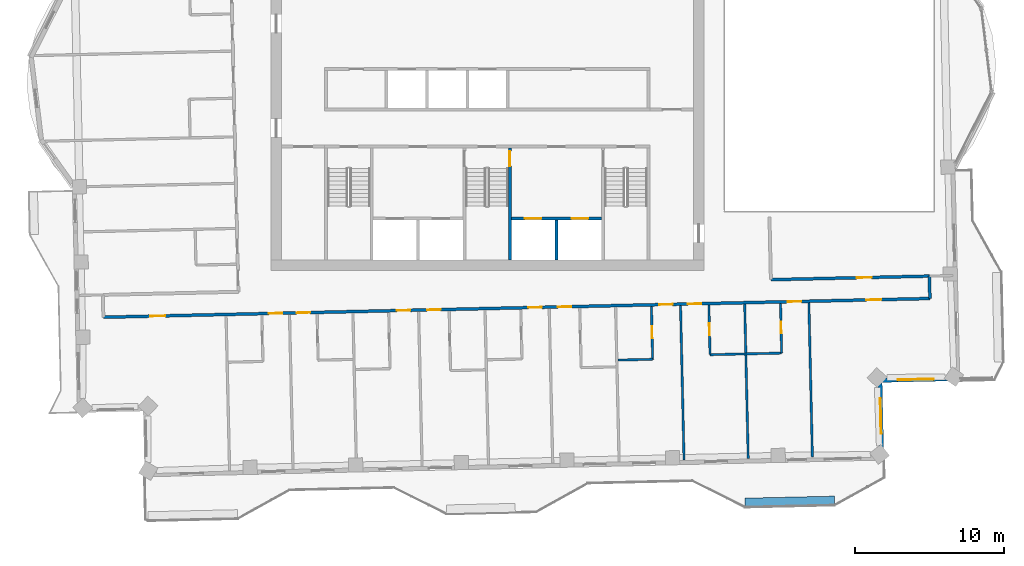
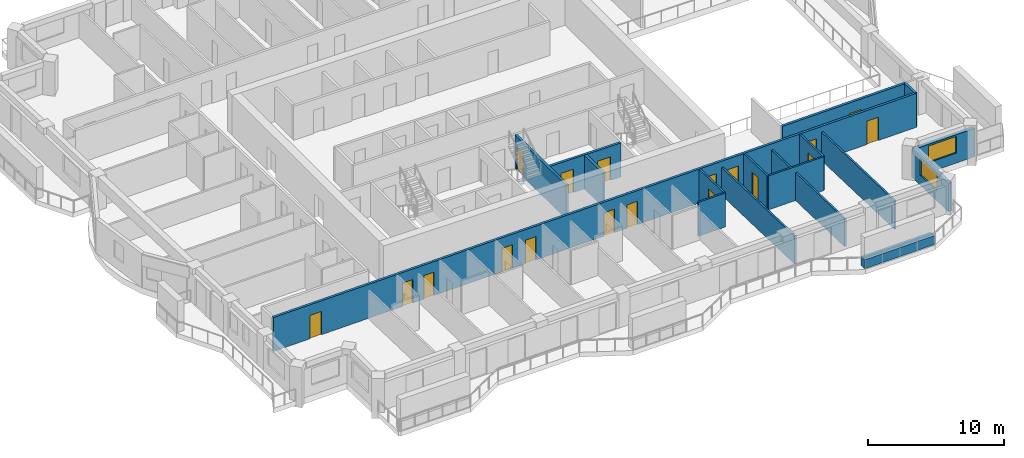
# One storey, part 11 of 19: 18 doors, 17 walls, 2 windows, 20 openings.
"""IFC4 building model written with IfcOpenShell, lengths in metres."""

from ifc_helpers import new_model, si_unit, direction, frame, frame_2d, origin, place, context, subcontext, project, spatial, rectangle, extrude, material, layer, layer_set, type_object, element, fill, save


model = new_model("IFC4")

# Units and contexts
model_context = context("Model", 3, precision=1e-05, world=origin(), true_north=direction((0.0, 1.0)))
body_context = subcontext(model_context, "Body", "Model", "MODEL_VIEW")
ifc_project = project(units=[si_unit("LENGTHUNIT", "METRE"), si_unit("AREAUNIT", "SQUARE_METRE"), si_unit("VOLUMEUNIT", "CUBIC_METRE"), si_unit("PLANEANGLEUNIT", "RADIAN"), si_unit("MASSUNIT", "GRAM", prefix="KILO")], contexts=[model_context])

# Site, building, storey
site_placement = place(None, origin())
site = spatial("IfcSite", under=ifc_project, at=site_placement, CompositionType="ELEMENT")
building_placement = place(site_placement, origin())
building = spatial("IfcBuilding", under=site, at=building_placement, Name="Mangrove Gate Tower", CompositionType="ELEMENT")
storey_placement = place(building_placement, frame((0.0, 0.0, 283.5)))
storey = spatial("IfcBuildingStorey", under=building, at=storey_placement, Name="L72", CompositionType="ELEMENT", Elevation=283.5)

# Wall, openings, doors
ifc_material_1 = material(Name="Concrete C50/60", Category="concrete")
ifc_layer_1 = layer(ifc_material_1, 0.199951171875)
ifc_layer_set_1 = layer_set([ifc_layer_1], Name="Core shaft wall 200 C50/60")
wall_type_1 = type_object("IfcWallType", Name="Core shaft wall 200 C50/60", PredefinedType="SHEAR", material=ifc_layer_set_1)
wall_1_placement = place(storey_placement, frame((1.60009765625, -8.0, 0.0), z_axis=(0.0, 0.0, 1.0), x_axis=(1.0, 0.0, 0.0)))
wall_1 = element("IfcWall", 1, at=wall_1_placement, inside=storey, type_object=wall_type_1, Name="WALL-L72-CORE-17", PredefinedType="SHEAR", context=body_context, shape_type="SweptSolid", body=[
    extrude(rectangle(XDim=6.0498046875, YDim=0.199951171875, at=frame_2d((3.02490234375, 0.0))), origin(), (0.0, 0.0, 1.0), 3.050048828125),
])
opening_1_placement = place(wall_1_placement, frame((0.91259765625, 0.0, 0.0)))
opening_1 = element("IfcOpeningElement", 2, at=opening_1_placement, cuts=wall_1, Name="Opening LD", PredefinedType="OPENING", context=body_context, shape_type="SweptSolid", body=[
    extrude(rectangle(XDim=1.10009765625, YDim=2.10009765625, at=frame_2d((0.550048828125, 1.050048828125))), frame((0.0, 0.10986328125, 0.0), z_axis=(0.0, -1.0, 0.0), x_axis=(1.0, 0.0, 0.0)), (0.0, 0.0, 1.0), 0.219970703125),
])
opening_2_placement = place(wall_1_placement, frame((4.03759765625, 0.0, 0.0)))
opening_2 = element("IfcOpeningElement", 3, at=opening_2_placement, cuts=wall_1, Name="Opening LD", PredefinedType="OPENING", context=body_context, shape_type="SweptSolid", body=[
    extrude(rectangle(XDim=1.10009765625, YDim=2.10009765625, at=frame_2d((0.550048828125, 1.050048828125))), frame((0.0, 0.10986328125, 0.0), z_axis=(0.0, -1.0, 0.0), x_axis=(1.0, 0.0, 0.0)), (0.0, 0.0, 1.0), 0.219970703125),
])
ifc_material_2 = material(Name="Stainless steel 316", Category="steel")
door_type_1 = type_object("IfcDoorType", Name="Lift landing door 1100x2100", OperationType="SLIDING_TO_LEFT", PredefinedType="DOOR", material=ifc_material_2)
door_1_placement = place(opening_1_placement, origin())
door_1 = element("IfcDoor", 4, at=door_1_placement, inside=storey, type_object=door_type_1, Name="Landing door LD FFL1", OperationType="SLIDING_TO_LEFT", OverallHeight=2.10009765625, OverallWidth=1.10009765625, PredefinedType="DOOR", context=body_context, shape_type="SweptSolid", body=[
    extrude(rectangle(XDim=1.10009765625, YDim=2.10009765625, at=frame_2d((0.550048828125, 1.050048828125))), frame((0.0, 0.02490234375, 0.0), z_axis=(0.0, -1.0, 0.0), x_axis=(1.0, 0.0, 0.0)), (0.0, 0.0, 1.0), 0.050048828125),
])
fill(opening_1, door_1)
door_2_placement = place(opening_2_placement, origin())
door_2 = element("IfcDoor", 5, at=door_2_placement, inside=storey, type_object=door_type_1, Name="Landing door LD FFL2", OperationType="SLIDING_TO_LEFT", OverallHeight=2.10009765625, OverallWidth=1.10009765625, PredefinedType="DOOR", context=body_context, shape_type="SweptSolid", body=[
    extrude(rectangle(XDim=1.10009765625, YDim=2.10009765625, at=frame_2d((0.550048828125, 1.050048828125))), frame((0.0, 0.02490234375, 0.0), z_axis=(0.0, -1.0, 0.0), x_axis=(1.0, 0.0, 0.0)), (0.0, 0.0, 1.0), 0.050048828125),
])
fill(opening_2, door_2)

# Wall
wall_2_placement = place(storey_placement, frame((4.625, -10.800048828125, 0.0), z_axis=(0.0, 0.0, 1.0), x_axis=(0.0, 1.0, 0.0)))
element("IfcWall", 6, at=wall_2_placement, inside=storey, type_object=wall_type_1, Name="WALL-L72-CORE-18", PredefinedType="SHEAR", context=body_context, shape_type="SweptSolid", body=[
    extrude(rectangle(XDim=2.699951171875, YDim=0.199951171875, at=frame_2d((1.35009765625, 0.0))), origin(), (0.0, 0.0, 1.0), 3.050048828125),
])

# Wall, opening, door
ifc_material_3 = material(Name="Concrete C50/60", Category="concrete")
ifc_layer_2 = layer(ifc_material_3, 0.199951171875)
ifc_layer_set_2 = layer_set([ifc_layer_2], Name="Core stair wall 200 C50/60")
wall_type_2 = type_object("IfcWallType", Name="Core stair wall 200 C50/60", PredefinedType="SHEAR", material=ifc_layer_set_2)
wall_3_placement = place(storey_placement, frame((1.5, -10.800048828125, 0.0), z_axis=(0.0, 0.0, 1.0), x_axis=(0.0, 1.0, 0.0)))
wall_3 = element("IfcWall", 7, at=wall_3_placement, inside=storey, type_object=wall_type_2, Name="WALL-L72-CORE-12", PredefinedType="SHEAR", context=body_context, shape_type="SweptSolid", body=[
    extrude(rectangle(XDim=7.5, YDim=0.199951171875, at=frame_2d((3.75, 0.0))), origin(), (0.0, 0.0, 1.0), 3.050048828125),
])
opening_3_placement = place(wall_3_placement, frame((6.300048828125, 0.0, 0.0)))
opening_3 = element("IfcOpeningElement", 8, at=opening_3_placement, cuts=wall_3, Name="Opening STD10", PredefinedType="OPENING", context=body_context, shape_type="SweptSolid", body=[
    extrude(rectangle(XDim=1.0, YDim=2.10009765625, at=frame_2d((0.5, 1.050048828125))), frame((0.0, 0.10986328125, 0.0), z_axis=(0.0, -1.0, 0.0), x_axis=(1.0, 0.0, 0.0)), (0.0, 0.0, 1.0), 0.219970703125),
])
ifc_material_4 = material(Name="Fire-rated steel door set", Category="steel")
door_type_2 = type_object("IfcDoorType", Name="Stair door FD60 1000x2100", OperationType="SINGLE_SWING_RIGHT", PredefinedType="DOOR", material=ifc_material_4)
door_3_placement = place(opening_3_placement, origin())
door_3 = element("IfcDoor", 9, at=door_3_placement, inside=storey, type_object=door_type_2, Name="Stair door Stair 2 from fire-fighting lobby", OperationType="SINGLE_SWING_RIGHT", OverallHeight=2.10009765625, OverallWidth=1.0, PredefinedType="DOOR", context=body_context, shape_type="SweptSolid", body=[
    extrude(rectangle(XDim=1.0, YDim=2.10009765625, at=frame_2d((0.5, 1.050048828125))), frame((0.0, 0.02490234375, 0.0), z_axis=(0.0, -1.0, 0.0), x_axis=(1.0, 0.0, 0.0)), (0.0, 0.0, 1.0), 0.050048828125),
])
fill(opening_3, door_3)

# Wall, openings, doors
ifc_material_5 = material(Name="Gypsum board on steel stud, EI 60", Category="steel")
ifc_layer_3 = layer(ifc_material_5, 0.199951171875)
ifc_layer_set_3 = layer_set([ifc_layer_3], Name="Corridor wall EI 60")
wall_type_3 = type_object("IfcWallType", Name="Corridor wall EI 60", PredefinedType="PARTITIONING", material=ifc_layer_set_3)
wall_4_placement = place(storey_placement, frame((-25.73095703125, -14.6240234375, 0.0), z_axis=(0.0, 0.0, 1.0), x_axis=(0.999742799525, 0.022678950563, 0.0)))
wall_4 = element("IfcWall", 10, at=wall_4_placement, inside=storey, type_object=wall_type_3, Name="WALL-L72-028", PredefinedType="PARTITIONING", context=body_context, shape_type="SweptSolid", body=[
    extrude(rectangle(XDim=55.38623046875, YDim=0.199951171875, at=frame_2d((27.693115234375, 0.0))), origin(), (0.0, 0.0, 1.0), 3.050048828125),
])
opening_4_placement = place(wall_4_placement, frame((3.14892578125, 0.0, 0.0)))
opening_4 = element("IfcOpeningElement", 11, at=opening_4_placement, cuts=wall_4, Name="Opening AD", PredefinedType="OPENING", context=body_context, shape_type="SweptSolid", body=[
    extrude(rectangle(XDim=1.0, YDim=2.10009765625, at=frame_2d((0.5, 1.050048828125))), frame((0.0, 0.10986328125, 0.0), z_axis=(0.0, -1.0, 0.0), x_axis=(1.0, 0.0, 0.0)), (0.0, 0.0, 1.0), 0.219970703125),
])
opening_5_placement = place(wall_4_placement, frame((11.10009765625, 0.0, 0.0)))
opening_5 = element("IfcOpeningElement", 12, at=opening_5_placement, cuts=wall_4, Name="Opening BD", PredefinedType="OPENING", context=body_context, shape_type="SweptSolid", body=[
    extrude(rectangle(XDim=0.89990234375, YDim=2.10009765625, at=frame_2d((0.449951171875, 1.050048828125))), frame((0.0, 0.10986328125, 0.0), z_axis=(0.0, -1.0, 0.0), x_axis=(1.0, 0.0, 0.0)), (0.0, 0.0, 1.0), 0.219970703125),
])
opening_6_placement = place(wall_4_placement, frame((12.949951171875, 0.0, 0.0)))
opening_6 = element("IfcOpeningElement", 13, at=opening_6_placement, cuts=wall_4, Name="Opening BD", PredefinedType="OPENING", context=body_context, shape_type="SweptSolid", body=[
    extrude(rectangle(XDim=0.89990234375, YDim=2.10009765625, at=frame_2d((0.449951171875, 1.050048828125))), frame((0.0, 0.10986328125, 0.0), z_axis=(0.0, -1.0, 0.0), x_axis=(1.0, 0.0, 0.0)), (0.0, 0.0, 1.0), 0.219970703125),
])
opening_7_placement = place(wall_4_placement, frame((19.675048828125, 0.0, 0.0)))
opening_7 = element("IfcOpeningElement", 14, at=opening_7_placement, cuts=wall_4, Name="Opening BD", PredefinedType="OPENING", context=body_context, shape_type="SweptSolid", body=[
    extrude(rectangle(XDim=0.89990234375, YDim=2.10009765625, at=frame_2d((0.449951171875, 1.050048828125))), frame((0.0, 0.10986328125, 0.0), z_axis=(0.0, -1.0, 0.0), x_axis=(1.0, 0.0, 0.0)), (0.0, 0.0, 1.0), 0.219970703125),
])
opening_8_placement = place(wall_4_placement, frame((21.699951171875, 0.0, 0.0)))
opening_8 = element("IfcOpeningElement", 15, at=opening_8_placement, cuts=wall_4, Name="Opening BD", PredefinedType="OPENING", context=body_context, shape_type="SweptSolid", body=[
    extrude(rectangle(XDim=0.89990234375, YDim=2.10009765625, at=frame_2d((0.449951171875, 1.050048828125))), frame((0.0, 0.10986328125, 0.0), z_axis=(0.0, -1.0, 0.0), x_axis=(1.0, 0.0, 0.0)), (0.0, 0.0, 1.0), 0.219970703125),
])
opening_9_placement = place(wall_4_placement, frame((28.47509765625, 0.0, 0.0)))
opening_9 = element("IfcOpeningElement", 16, at=opening_9_placement, cuts=wall_4, Name="Opening BD", PredefinedType="OPENING", context=body_context, shape_type="SweptSolid", body=[
    extrude(rectangle(XDim=0.89990234375, YDim=2.10009765625, at=frame_2d((0.449951171875, 1.050048828125))), frame((0.0, 0.10986328125, 0.0), z_axis=(0.0, -1.0, 0.0), x_axis=(1.0, 0.0, 0.0)), (0.0, 0.0, 1.0), 0.219970703125),
])
opening_10_placement = place(wall_4_placement, frame((30.449951171875, 0.0, 0.0)))
opening_10 = element("IfcOpeningElement", 17, at=opening_10_placement, cuts=wall_4, Name="Opening BD", PredefinedType="OPENING", context=body_context, shape_type="SweptSolid", body=[
    extrude(rectangle(XDim=0.89990234375, YDim=2.10009765625, at=frame_2d((0.449951171875, 1.050048828125))), frame((0.0, 0.10986328125, 0.0), z_axis=(0.0, -1.0, 0.0), x_axis=(1.0, 0.0, 0.0)), (0.0, 0.0, 1.0), 0.219970703125),
])
opening_11_placement = place(wall_4_placement, frame((37.25, 0.0, 0.0)))
opening_11 = element("IfcOpeningElement", 18, at=opening_11_placement, cuts=wall_4, Name="Opening BD", PredefinedType="OPENING", context=body_context, shape_type="SweptSolid", body=[
    extrude(rectangle(XDim=0.89990234375, YDim=2.10009765625, at=frame_2d((0.449951171875, 1.050048828125))), frame((0.0, 0.10986328125, 0.0), z_axis=(0.0, -1.0, 0.0), x_axis=(1.0, 0.0, 0.0)), (0.0, 0.0, 1.0), 0.219970703125),
])
opening_12_placement = place(wall_4_placement, frame((39.175048828125, 0.0, 0.0)))
opening_12 = element("IfcOpeningElement", 19, at=opening_12_placement, cuts=wall_4, Name="Opening BD", PredefinedType="OPENING", context=body_context, shape_type="SweptSolid", body=[
    extrude(rectangle(XDim=0.89990234375, YDim=2.10009765625, at=frame_2d((0.449951171875, 1.050048828125))), frame((0.0, 0.10986328125, 0.0), z_axis=(0.0, -1.0, 0.0), x_axis=(1.0, 0.0, 0.0)), (0.0, 0.0, 1.0), 0.219970703125),
])
opening_13_placement = place(wall_4_placement, frame((45.875, 0.0, 0.0)))
opening_13 = element("IfcOpeningElement", 20, at=opening_13_placement, cuts=wall_4, Name="Opening BD", PredefinedType="OPENING", context=body_context, shape_type="SweptSolid", body=[
    extrude(rectangle(XDim=0.89990234375, YDim=2.10009765625, at=frame_2d((0.449951171875, 1.050048828125))), frame((0.0, 0.10986328125, 0.0), z_axis=(0.0, -1.0, 0.0), x_axis=(1.0, 0.0, 0.0)), (0.0, 0.0, 1.0), 0.219970703125),
])
opening_14_placement = place(wall_4_placement, frame((51.126953125, 0.0, 0.0)))
opening_14 = element("IfcOpeningElement", 21, at=opening_14_placement, cuts=wall_4, Name="Opening AD", PredefinedType="OPENING", context=body_context, shape_type="SweptSolid", body=[
    extrude(rectangle(XDim=1.0, YDim=2.10009765625, at=frame_2d((0.5, 1.050048828125))), frame((0.0, 0.10986328125, 0.0), z_axis=(0.0, -1.0, 0.0), x_axis=(1.0, 0.0, 0.0)), (0.0, 0.0, 1.0), 0.219970703125),
])
ifc_material_6 = material(Name="Timber door leaf", Category="wood")
door_type_3 = type_object("IfcDoorType", Name="Amenity door 1000", OperationType="SINGLE_SWING_LEFT", PredefinedType="DOOR", material=ifc_material_6)
door_4_placement = place(opening_4_placement, origin())
door_4 = element("IfcDoor", 22, at=door_4_placement, inside=storey, type_object=door_type_3, Name="DOOR-L72-LNG-c1a", OperationType="SINGLE_SWING_LEFT", OverallHeight=2.10009765625, OverallWidth=1.0, PredefinedType="DOOR", context=body_context, shape_type="SweptSolid", body=[
    extrude(rectangle(XDim=1.0, YDim=2.10009765625, at=frame_2d((0.5, 1.050048828125))), frame((0.0, 0.02490234375, 0.0), z_axis=(0.0, -1.0, 0.0), x_axis=(1.0, 0.0, 0.0)), (0.0, 0.0, 1.0), 0.050048828125),
])
fill(opening_4, door_4)
door_5_placement = place(opening_14_placement, origin())
door_5 = element("IfcDoor", 23, at=door_5_placement, inside=storey, type_object=door_type_3, Name="DOOR-L72-LNG-c3a", OperationType="SINGLE_SWING_RIGHT", OverallHeight=2.10009765625, OverallWidth=1.0, PredefinedType="DOOR", context=body_context, shape_type="SweptSolid", body=[
    extrude(rectangle(XDim=1.0, YDim=2.10009765625, at=frame_2d((0.5, 1.050048828125))), frame((0.0, 0.02490234375, 0.0), z_axis=(0.0, -1.0, 0.0), x_axis=(1.0, 0.0, 0.0)), (0.0, 0.0, 1.0), 0.050048828125),
])
fill(opening_14, door_5)
ifc_material_7 = material(Name="Timber door leaf", Category="wood")
door_type_4 = type_object("IfcDoorType", Name="Bedroom door 900", OperationType="SINGLE_SWING_LEFT", PredefinedType="DOOR", material=ifc_material_7)
door_6_placement = place(opening_5_placement, origin())
door_6 = element("IfcDoor", 24, at=door_6_placement, inside=storey, type_object=door_type_4, Name="DOOR-L72-BED-c101", OperationType="SINGLE_SWING_LEFT", OverallHeight=2.10009765625, OverallWidth=0.89990234375, PredefinedType="DOOR", context=body_context, shape_type="SweptSolid", body=[
    extrude(rectangle(XDim=0.89990234375, YDim=2.10009765625, at=frame_2d((0.449951171875, 1.050048828125))), frame((0.0, 0.02490234375, 0.0), z_axis=(0.0, -1.0, 0.0), x_axis=(1.0, 0.0, 0.0)), (0.0, 0.0, 1.0), 0.050048828125),
])
fill(opening_5, door_6)
door_7_placement = place(opening_6_placement, origin())
door_7 = element("IfcDoor", 25, at=door_7_placement, inside=storey, type_object=door_type_4, Name="DOOR-L72-BED-c102", OperationType="SINGLE_SWING_RIGHT", OverallHeight=2.10009765625, OverallWidth=0.89990234375, PredefinedType="DOOR", context=body_context, shape_type="SweptSolid", body=[
    extrude(rectangle(XDim=0.89990234375, YDim=2.10009765625, at=frame_2d((0.449951171875, 1.050048828125))), frame((0.0, 0.02490234375, 0.0), z_axis=(0.0, -1.0, 0.0), x_axis=(1.0, 0.0, 0.0)), (0.0, 0.0, 1.0), 0.050048828125),
])
fill(opening_6, door_7)
door_8_placement = place(opening_7_placement, origin())
door_8 = element("IfcDoor", 26, at=door_8_placement, inside=storey, type_object=door_type_4, Name="DOOR-L72-BED-c103", OperationType="SINGLE_SWING_LEFT", OverallHeight=2.10009765625, OverallWidth=0.89990234375, PredefinedType="DOOR", context=body_context, shape_type="SweptSolid", body=[
    extrude(rectangle(XDim=0.89990234375, YDim=2.10009765625, at=frame_2d((0.449951171875, 1.050048828125))), frame((0.0, 0.02490234375, 0.0), z_axis=(0.0, -1.0, 0.0), x_axis=(1.0, 0.0, 0.0)), (0.0, 0.0, 1.0), 0.050048828125),
])
fill(opening_7, door_8)
door_9_placement = place(opening_8_placement, origin())
door_9 = element("IfcDoor", 27, at=door_9_placement, inside=storey, type_object=door_type_4, Name="DOOR-L72-BED-c104", OperationType="SINGLE_SWING_RIGHT", OverallHeight=2.10009765625, OverallWidth=0.89990234375, PredefinedType="DOOR", context=body_context, shape_type="SweptSolid", body=[
    extrude(rectangle(XDim=0.89990234375, YDim=2.10009765625, at=frame_2d((0.449951171875, 1.050048828125))), frame((0.0, 0.02490234375, 0.0), z_axis=(0.0, -1.0, 0.0), x_axis=(1.0, 0.0, 0.0)), (0.0, 0.0, 1.0), 0.050048828125),
])
fill(opening_8, door_9)
door_10_placement = place(opening_9_placement, origin())
door_10 = element("IfcDoor", 28, at=door_10_placement, inside=storey, type_object=door_type_4, Name="DOOR-L72-BED-c205", OperationType="SINGLE_SWING_LEFT", OverallHeight=2.10009765625, OverallWidth=0.89990234375, PredefinedType="DOOR", context=body_context, shape_type="SweptSolid", body=[
    extrude(rectangle(XDim=0.89990234375, YDim=2.10009765625, at=frame_2d((0.449951171875, 1.050048828125))), frame((0.0, 0.02490234375, 0.0), z_axis=(0.0, -1.0, 0.0), x_axis=(1.0, 0.0, 0.0)), (0.0, 0.0, 1.0), 0.050048828125),
])
fill(opening_9, door_10)
door_11_placement = place(opening_10_placement, origin())
door_11 = element("IfcDoor", 29, at=door_11_placement, inside=storey, type_object=door_type_4, Name="DOOR-L72-BED-c206", OperationType="SINGLE_SWING_RIGHT", OverallHeight=2.10009765625, OverallWidth=0.89990234375, PredefinedType="DOOR", context=body_context, shape_type="SweptSolid", body=[
    extrude(rectangle(XDim=0.89990234375, YDim=2.10009765625, at=frame_2d((0.449951171875, 1.050048828125))), frame((0.0, 0.02490234375, 0.0), z_axis=(0.0, -1.0, 0.0), x_axis=(1.0, 0.0, 0.0)), (0.0, 0.0, 1.0), 0.050048828125),
])
fill(opening_10, door_11)
door_12_placement = place(opening_11_placement, origin())
door_12 = element("IfcDoor", 30, at=door_12_placement, inside=storey, type_object=door_type_4, Name="DOOR-L72-BED-c207", OperationType="SINGLE_SWING_LEFT", OverallHeight=2.10009765625, OverallWidth=0.89990234375, PredefinedType="DOOR", context=body_context, shape_type="SweptSolid", body=[
    extrude(rectangle(XDim=0.89990234375, YDim=2.10009765625, at=frame_2d((0.449951171875, 1.050048828125))), frame((0.0, 0.02490234375, 0.0), z_axis=(0.0, -1.0, 0.0), x_axis=(1.0, 0.0, 0.0)), (0.0, 0.0, 1.0), 0.050048828125),
])
fill(opening_11, door_12)
door_13_placement = place(opening_12_placement, origin())
door_13 = element("IfcDoor", 31, at=door_13_placement, inside=storey, type_object=door_type_4, Name="DOOR-L72-BED-c208", OperationType="SINGLE_SWING_RIGHT", OverallHeight=2.10009765625, OverallWidth=0.89990234375, PredefinedType="DOOR", context=body_context, shape_type="SweptSolid", body=[
    extrude(rectangle(XDim=0.89990234375, YDim=2.10009765625, at=frame_2d((0.449951171875, 1.050048828125))), frame((0.0, 0.02490234375, 0.0), z_axis=(0.0, -1.0, 0.0), x_axis=(1.0, 0.0, 0.0)), (0.0, 0.0, 1.0), 0.050048828125),
])
fill(opening_12, door_13)
door_14_placement = place(opening_13_placement, origin())
door_14 = element("IfcDoor", 32, at=door_14_placement, inside=storey, type_object=door_type_4, Name="DOOR-L72-BED-c309", OperationType="SINGLE_SWING_LEFT", OverallHeight=2.10009765625, OverallWidth=0.89990234375, PredefinedType="DOOR", context=body_context, shape_type="SweptSolid", body=[
    extrude(rectangle(XDim=0.89990234375, YDim=2.10009765625, at=frame_2d((0.449951171875, 1.050048828125))), frame((0.0, 0.02490234375, 0.0), z_axis=(0.0, -1.0, 0.0), x_axis=(1.0, 0.0, 0.0)), (0.0, 0.0, 1.0), 0.050048828125),
])
fill(opening_13, door_14)

# Wall
wall_5_placement = place(storey_placement, frame((29.637939453125, -13.367919921875, 0.0), z_axis=(0.0, 0.0, 1.0), x_axis=(-0.022617910375, 0.999744182344, 0.0)))
element("IfcWall", 33, at=wall_5_placement, inside=storey, type_object=wall_type_3, Name="WALL-L72-030", PredefinedType="PARTITIONING", context=body_context, shape_type="SweptSolid", body=[
    extrude(rectangle(XDim=1.50048828125, YDim=0.199951171875, at=frame_2d((0.750244140625, 0.0))), origin(), (0.0, 0.0, 1.0), 3.050048828125),
])

# Wall, opening, door
wall_6_placement = place(storey_placement, frame((18.985107421875, -12.10888671875, 0.0), z_axis=(0.0, 0.0, 1.0), x_axis=(0.999742771882, 0.022680169073, 0.0)))
wall_6 = element("IfcWall", 34, at=wall_6_placement, inside=storey, type_object=wall_type_3, Name="WALL-L72-034", PredefinedType="PARTITIONING", context=body_context, shape_type="SweptSolid", body=[
    extrude(rectangle(XDim=10.62451171875, YDim=0.199951171875, at=frame_2d((5.312255859375, 0.0))), origin(), (0.0, 0.0, 1.0), 3.050048828125),
])
opening_15_placement = place(wall_6_placement, frame((5.75, 0.0, 0.0)))
opening_15 = element("IfcOpeningElement", 35, at=opening_15_placement, cuts=wall_6, Name="Opening AD", PredefinedType="OPENING", context=body_context, shape_type="SweptSolid", body=[
    extrude(rectangle(XDim=1.0, YDim=2.10009765625, at=frame_2d((0.5, 1.050048828125))), frame((0.0, 0.10986328125, 0.0), z_axis=(0.0, -1.0, 0.0), x_axis=(1.0, 0.0, 0.0)), (0.0, 0.0, 1.0), 0.219970703125),
])
door_15_placement = place(opening_15_placement, origin())
door_15 = element("IfcDoor", 36, at=door_15_placement, inside=storey, type_object=door_type_3, Name="DOOR-L72-LNG-c3b", OperationType="SINGLE_SWING_LEFT", OverallHeight=2.10009765625, OverallWidth=1.0, PredefinedType="DOOR", context=body_context, shape_type="SweptSolid", body=[
    extrude(rectangle(XDim=1.0, YDim=2.10009765625, at=frame_2d((0.5, 1.050048828125))), frame((0.0, 0.02490234375, 0.0), z_axis=(0.0, -1.0, 0.0), x_axis=(1.0, 0.0, 0.0)), (0.0, 0.0, 1.0), 0.050048828125),
])
fill(opening_15, door_15)

# Wall, opening, window
ifc_material_8 = material(Name="Limestone", Category="masonry")
ifc_layer_4 = layer(ifc_material_8, 0.0400390625, Name="Limestone cladding")
ifc_material_9 = material(Name="Ventilated air gap")
ifc_layer_5 = layer(ifc_material_9, 0.0400390625, Name="Ventilated cavity")
ifc_material_10 = material(Name="Mineral wool insulation")
ifc_layer_6 = layer(ifc_material_10, 0.06005859375, Name="Insulation")
ifc_material_11 = material(Name="Breather membrane")
ifc_layer_7 = layer(ifc_material_11, 0.001953125, Name="Breather membrane")
ifc_material_12 = material(Name="Concrete C20/25 blockwork", Category="masonry")
ifc_layer_8 = layer(ifc_material_12, 0.14990234375, Name="Blockwork backing wall")
ifc_material_13 = material(Name="Gypsum plaster")
ifc_layer_9 = layer(ifc_material_13, 0.008056640625, Name="Internal plaster")
ifc_layer_set_4 = layer_set([ifc_layer_4, ifc_layer_5, ifc_layer_6, ifc_layer_7, ifc_layer_8, ifc_layer_9], Name="External wall 300 limestone cladding")
wall_type_4 = type_object("IfcWallType", Name="External wall 300 limestone cladding", PredefinedType="SOLIDWALL", material=ifc_layer_set_4)
wall_7_placement = place(storey_placement, frame((26.406982421875, -24.0439453125, 0.0), z_axis=(0.0, 0.0, 1.0), x_axis=(-0.022675548694, 0.99974287669, 0.0)))
wall_7 = element("IfcWall", 37, at=wall_7_placement, inside=storey, type_object=wall_type_4, Name="WALL-L72-E14", PredefinedType="SOLIDWALL", context=body_context, shape_type="SweptSolid", body=[
    extrude(rectangle(XDim=5.2001953125, YDim=0.300048828125, at=frame_2d((2.60009765625, 0.0))), origin(), (0.0, 0.0, 1.0), 2.550048828125),
])
opening_16_placement = place(wall_7_placement, frame((1.60498046875, 0.0, 0.89990234375)))
opening_16 = element("IfcOpeningElement", 38, at=opening_16_placement, cuts=wall_7, Name="Opening W2", PredefinedType="OPENING", context=body_context, shape_type="SweptSolid", body=[
    extrude(rectangle(XDim=2.39990234375, YDim=1.5, at=frame_2d((1.199951171875, 0.75))), frame((0.0, 0.159912109375, 0.0), z_axis=(0.0, -1.0, 0.0), x_axis=(1.0, 0.0, 0.0)), (0.0, 0.0, 1.0), 0.320068359375),
])
ifc_material_14 = material(Name="Aluminium frame with double-glazed low-e glass", Category="aluminium")
window_type = type_object("IfcWindowType", Name="Corner room window 2400x1500", PartitioningType="DOUBLE_PANEL_VERTICAL", PredefinedType="WINDOW", material=ifc_material_14)
window_1_placement = place(opening_16_placement, origin())
window_1 = element("IfcWindow", 39, at=window_1_placement, inside=storey, type_object=window_type, Name="WIN-L72-E14-1", OverallHeight=1.5, OverallWidth=2.39990234375, PartitioningType="DOUBLE_PANEL_VERTICAL", PredefinedType="WINDOW", context=body_context, shape_type="SweptSolid", body=[
    extrude(rectangle(XDim=2.39990234375, YDim=1.5, at=frame_2d((1.199951171875, 0.75))), frame((0.0, 0.030029296875, 0.0), z_axis=(0.0, -1.0, 0.0), x_axis=(1.0, 0.0, 0.0)), (0.0, 0.0, 1.0), 0.06005859375),
])
fill(opening_16, window_1)

wall_8_placement = place(storey_placement, frame((26.2890625, -18.844970703125, 0.0), z_axis=(0.0, 0.0, 1.0), x_axis=(0.99974287669, 0.022675548694, 0.0)))
wall_8 = element("IfcWall", 40, at=wall_8_placement, inside=storey, type_object=wall_type_4, Name="WALL-L72-S15", PredefinedType="SOLIDWALL", context=body_context, shape_type="SweptSolid", body=[
    extrude(rectangle(XDim=5.2001953125, YDim=0.300048828125, at=frame_2d((2.60009765625, 0.0))), origin(), (0.0, 0.0, 1.0), 2.550048828125),
])
opening_17_placement = place(wall_8_placement, frame((1.194091796875, 0.0, 0.89990234375)))
opening_17 = element("IfcOpeningElement", 41, at=opening_17_placement, cuts=wall_8, Name="Opening W2", PredefinedType="OPENING", context=body_context, shape_type="SweptSolid", body=[
    extrude(rectangle(XDim=2.39990234375, YDim=1.5, at=frame_2d((1.199951171875, 0.75))), frame((0.0, 0.159912109375, 0.0), z_axis=(0.0, -1.0, 0.0), x_axis=(1.0, 0.0, 0.0)), (0.0, 0.0, 1.0), 0.320068359375),
])
window_2_placement = place(opening_17_placement, origin())
window_2 = element("IfcWindow", 42, at=window_2_placement, inside=storey, type_object=window_type, Name="WIN-L72-S15-1", OverallHeight=1.5, OverallWidth=2.39990234375, PartitioningType="DOUBLE_PANEL_VERTICAL", PredefinedType="WINDOW", context=body_context, shape_type="SweptSolid", body=[
    extrude(rectangle(XDim=2.39990234375, YDim=1.5, at=frame_2d((1.199951171875, 0.75))), frame((0.0, 0.030029296875, 0.0), z_axis=(0.0, -1.0, 0.0), x_axis=(1.0, 0.0, 0.0)), (0.0, 0.0, 1.0), 0.06005859375),
])
fill(opening_17, window_2)

# Walls
ifc_material_15 = material(Name="Gypsum board on steel stud, EI 60", Category="steel")
ifc_layer_10 = layer(ifc_material_15, 0.14990234375)
ifc_layer_set_5 = layer_set([ifc_layer_10], Name="Party wall 150 EI 60")
wall_type_5 = type_object("IfcWallType", Name="Party wall 150 EI 60", PredefinedType="PARTITIONING", material=ifc_layer_set_5)
wall_9_placement = place(storey_placement, frame((13.1689453125, -24.194091796875, 0.0), z_axis=(0.0, 0.0, 1.0), x_axis=(-0.022692470342, 0.99974249274, 0.0)))
element("IfcWall", 43, at=wall_9_placement, inside=storey, type_object=wall_type_5, Name="WALL-L72-008", PredefinedType="PARTITIONING", context=body_context, shape_type="SweptSolid", body=[
    extrude(rectangle(XDim=10.349853515625, YDim=0.14990234375, at=frame_2d((5.1748046875, 0.0))), origin(), (0.0, 0.0, 1.0), 2.5),
])
wall_10_placement = place(storey_placement, frame((17.468017578125, -24.096923828125, 0.0), z_axis=(0.0, 0.0, 1.0), x_axis=(-0.022714440015, 0.999741993824, 0.0)))
element("IfcWall", 44, at=wall_10_placement, inside=storey, type_object=wall_type_5, Name="WALL-L72-009", PredefinedType="PARTITIONING", context=body_context, shape_type="SweptSolid", body=[
    extrude(rectangle(XDim=10.3505859375, YDim=0.14990234375, at=frame_2d((5.17529296875, 0.0))), origin(), (0.0, 0.0, 1.0), 2.5),
])
wall_11_placement = place(storey_placement, frame((21.76708984375, -23.9990234375, 0.0), z_axis=(0.0, 0.0, 1.0), x_axis=(-0.022716582742, 0.999741945138, 0.0)))
element("IfcWall", 45, at=wall_11_placement, inside=storey, type_object=wall_type_5, Name="WALL-L72-010", PredefinedType="PARTITIONING", context=body_context, shape_type="SweptSolid", body=[
    extrude(rectangle(XDim=10.349609375, YDim=0.14990234375, at=frame_2d((5.1748046875, 0.0))), origin(), (0.0, 0.0, 1.0), 2.550048828125),
])
wall_12_placement = place(storey_placement, frame((8.742919921875, -17.492919921875, 0.0), z_axis=(0.0, 0.0, 1.0), x_axis=(0.99974053329, 0.022778632478, 0.0)))
element("IfcWall", 46, at=wall_12_placement, inside=storey, type_object=wall_type_5, Name="WALL-L72-017", PredefinedType="PARTITIONING", context=body_context, shape_type="SweptSolid", body=[
    extrude(rectangle(XDim=2.32568359375, YDim=0.14990234375, at=frame_2d((1.162841796875, 0.0))), origin(), (0.0, 0.0, 1.0), 3.050048828125),
])

# Wall, opening, door
wall_13_placement = place(storey_placement, frame((11.06591796875, -17.43994140625, 0.0), z_axis=(0.0, 0.0, 1.0), x_axis=(-0.022765149847, 0.999740840394, 0.0)))
wall_13 = element("IfcWall", 47, at=wall_13_placement, inside=storey, type_object=wall_type_5, Name="WALL-L72-018", PredefinedType="PARTITIONING", context=body_context, shape_type="SweptSolid", body=[
    extrude(rectangle(XDim=3.5498046875, YDim=0.14990234375, at=frame_2d((1.77490234375, 0.0))), origin(), (0.0, 0.0, 1.0), 3.050048828125),
])
opening_18_placement = place(wall_13_placement, frame((1.425048828125, 0.0, 0.0)))
opening_18 = element("IfcOpeningElement", 48, at=opening_18_placement, cuts=wall_13, Name="Opening ED", PredefinedType="OPENING", context=body_context, shape_type="SweptSolid", body=[
    extrude(rectangle(XDim=0.800048828125, YDim=2.10009765625, at=frame_2d((0.39990234375, 1.050048828125))), frame((0.0, 0.0849609375, 0.0), z_axis=(0.0, -1.0, 0.0), x_axis=(1.0, 0.0, 0.0)), (0.0, 0.0, 1.0), 0.169921875),
])
ifc_material_16 = material(Name="Timber door leaf", Category="wood")
door_type_5 = type_object("IfcDoorType", Name="En-suite door 800", OperationType="SINGLE_SWING_LEFT", PredefinedType="DOOR", material=ifc_material_16)
door_16_placement = place(opening_18_placement, origin())
door_16 = element("IfcDoor", 49, at=door_16_placement, inside=storey, type_object=door_type_5, Name="DOOR-L72-ENS-c207", OperationType="SINGLE_SWING_LEFT", OverallHeight=2.10009765625, OverallWidth=0.800048828125, PredefinedType="DOOR", context=body_context, shape_type="SweptSolid", body=[
    extrude(rectangle(XDim=0.800048828125, YDim=2.10009765625, at=frame_2d((0.39990234375, 1.050048828125))), frame((0.0, 0.02490234375, 0.0), z_axis=(0.0, -1.0, 0.0), x_axis=(1.0, 0.0, 0.0)), (0.0, 0.0, 1.0), 0.050048828125),
])
fill(opening_18, door_16)

wall_14_placement = place(storey_placement, frame((14.909912109375, -17.133056640625, 0.0), z_axis=(0.0, 0.0, 1.0), x_axis=(-0.022801345323, 0.99974001553, 0.0)))
wall_14 = element("IfcWall", 50, at=wall_14_placement, inside=storey, type_object=wall_type_5, Name="WALL-L72-021", PredefinedType="PARTITIONING", context=body_context, shape_type="SweptSolid", body=[
    extrude(rectangle(XDim=3.330078125, YDim=0.14990234375, at=frame_2d((1.6650390625, 0.0))), origin(), (0.0, 0.0, 1.0), 3.050048828125),
])
opening_19_placement = place(wall_14_placement, frame((1.31494140625, 0.0, 0.0)))
opening_19 = element("IfcOpeningElement", 51, at=opening_19_placement, cuts=wall_14, Name="Opening ED", PredefinedType="OPENING", context=body_context, shape_type="SweptSolid", body=[
    extrude(rectangle(XDim=0.800048828125, YDim=2.10009765625, at=frame_2d((0.39990234375, 1.050048828125))), frame((0.0, 0.0849609375, 0.0), z_axis=(0.0, -1.0, 0.0), x_axis=(1.0, 0.0, 0.0)), (0.0, 0.0, 1.0), 0.169921875),
])
door_17_placement = place(opening_19_placement, origin())
door_17 = element("IfcDoor", 52, at=door_17_placement, inside=storey, type_object=door_type_5, Name="DOOR-L72-ENS-c208", OperationType="SINGLE_SWING_RIGHT", OverallHeight=2.10009765625, OverallWidth=0.800048828125, PredefinedType="DOOR", context=body_context, shape_type="SweptSolid", body=[
    extrude(rectangle(XDim=0.800048828125, YDim=2.10009765625, at=frame_2d((0.39990234375, 1.050048828125))), frame((0.0, 0.02490234375, 0.0), z_axis=(0.0, -1.0, 0.0), x_axis=(1.0, 0.0, 0.0)), (0.0, 0.0, 1.0), 0.050048828125),
])
fill(opening_19, door_17)

# Wall
wall_15_placement = place(storey_placement, frame((14.912109375, -17.133056640625, 0.0), z_axis=(0.0, 0.0, 1.0), x_axis=(0.999741415159, 0.022739894798, 0.0)))
element("IfcWall", 53, at=wall_15_placement, inside=storey, type_object=wall_type_5, Name="WALL-L72-022", PredefinedType="PARTITIONING", context=body_context, shape_type="SweptSolid", body=[
    extrude(rectangle(XDim=4.799072265625, YDim=0.14990234375, at=frame_2d((2.3994140625, 0.0))), origin(), (0.0, 0.0, 1.0), 3.050048828125),
])

# Wall, opening, door
wall_16_placement = place(storey_placement, frame((19.7080078125, -17.02392578125, 0.0), z_axis=(0.0, 0.0, 1.0), x_axis=(-0.022509879905, 0.999746620553, 0.0)))
wall_16 = element("IfcWall", 54, at=wall_16_placement, inside=storey, type_object=wall_type_5, Name="WALL-L72-023", PredefinedType="PARTITIONING", context=body_context, shape_type="SweptSolid", body=[
    extrude(rectangle(XDim=3.32958984375, YDim=0.14990234375, at=frame_2d((1.664794921875, 0.0))), origin(), (0.0, 0.0, 1.0), 3.050048828125),
])
opening_20_placement = place(wall_16_placement, frame((1.31494140625, 0.0, 0.0)))
opening_20 = element("IfcOpeningElement", 55, at=opening_20_placement, cuts=wall_16, Name="Opening ED", PredefinedType="OPENING", context=body_context, shape_type="SweptSolid", body=[
    extrude(rectangle(XDim=0.800048828125, YDim=2.10009765625, at=frame_2d((0.39990234375, 1.050048828125))), frame((0.0, 0.0849609375, 0.0), z_axis=(0.0, -1.0, 0.0), x_axis=(1.0, 0.0, 0.0)), (0.0, 0.0, 1.0), 0.169921875),
])
door_18_placement = place(opening_20_placement, origin())
door_18 = element("IfcDoor", 56, at=door_18_placement, inside=storey, type_object=door_type_5, Name="DOOR-L72-ENS-c309", OperationType="SINGLE_SWING_LEFT", OverallHeight=2.10009765625, OverallWidth=0.800048828125, PredefinedType="DOOR", context=body_context, shape_type="SweptSolid", body=[
    extrude(rectangle(XDim=0.800048828125, YDim=2.10009765625, at=frame_2d((0.39990234375, 1.050048828125))), frame((0.0, 0.02490234375, 0.0), z_axis=(0.0, -1.0, 0.0), x_axis=(1.0, 0.0, 0.0)), (0.0, 0.0, 1.0), 0.050048828125),
])
fill(opening_20, door_18)

# Wall
ifc_material_17 = material(Name="Concrete C32/40", Category="concrete")
ifc_layer_11 = layer(ifc_material_17, 0.199951171875, Name="Planter trough wall")
ifc_material_18 = material(Name="Bituminous waterproofing membrane")
ifc_layer_12 = layer(ifc_material_18, 0.0048828125, Name="Waterproofing")
ifc_material_19 = material(Name="Drainage board and gravel")
ifc_layer_13 = layer(ifc_material_19, 0.044921875, Name="Drainage layer")
ifc_material_20 = material(Name="Planting soil")
ifc_layer_14 = layer(ifc_material_20, 0.300048828125, Name="Growing medium")
ifc_layer_set_6 = layer_set([ifc_layer_11, ifc_layer_12, ifc_layer_13, ifc_layer_14], Name="Planter wall 550 C32/40")
wall_type_6 = type_object("IfcWallType", Name="Planter wall 550 C32/40", PredefinedType="USERDEFINED", material=ifc_layer_set_6)
wall_17_placement = place(storey_placement, frame((17.2548828125, -27.01708984375, 0.0), z_axis=(0.0, 0.0, 1.0), x_axis=(0.999743094499, 0.022665943652, 0.0)))
element("IfcWall", 57, at=wall_17_placement, inside=storey, type_object=wall_type_6, Name="PLANTER L72 S1.1", ObjectType="PLANTER", PredefinedType="USERDEFINED", context=body_context, shape_type="SweptSolid", body=[
    extrude(rectangle(XDim=5.99951171875, YDim=0.550048828125, at=frame_2d((2.999755859375, 0.0))), origin(), (0.0, 0.0, 1.0), 0.800048828125),
])

save(model, "model.ifc")
